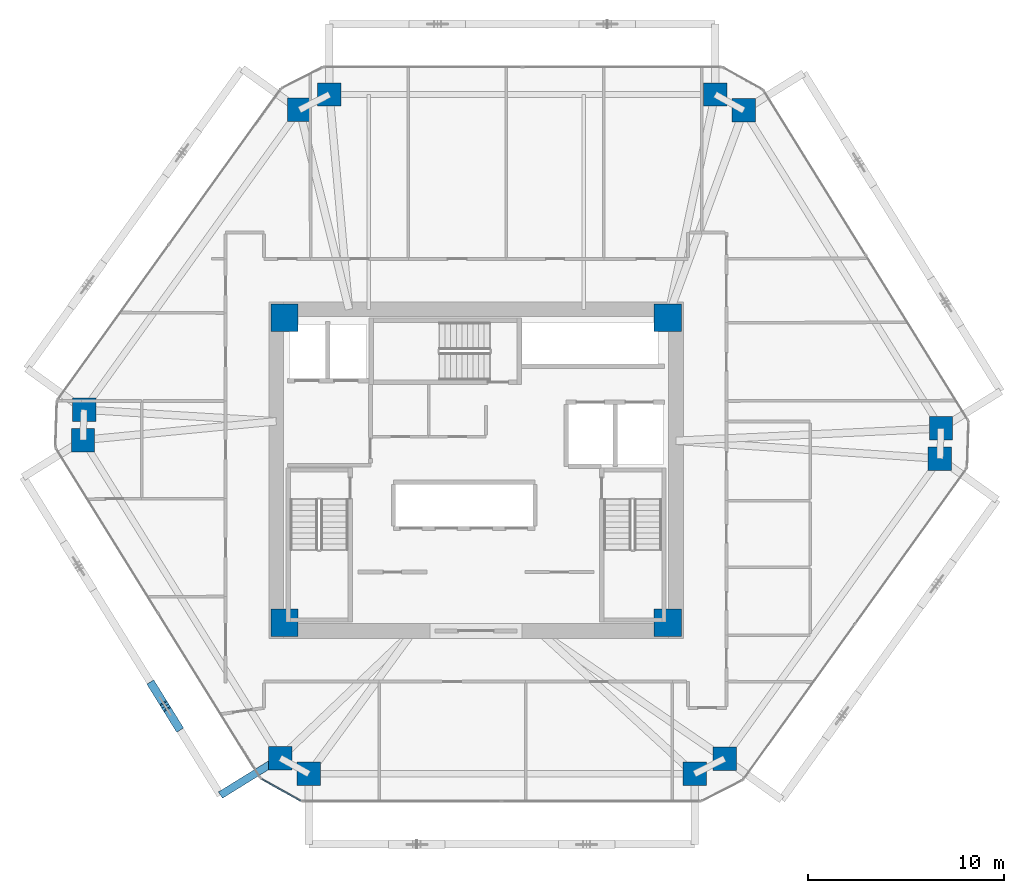
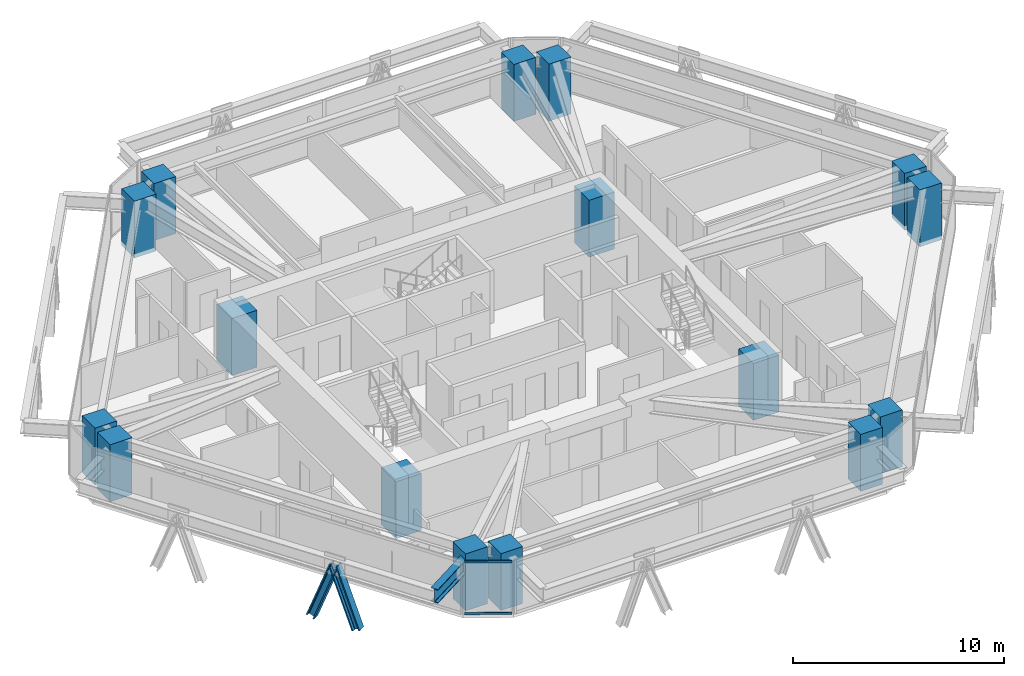
# One storey, part 1 of 16: 16 columns, 4 members, 1 beam, 1 element without a shape of its own.
"""IFC4 building model written with IfcOpenShell, lengths in metres."""

from ifc_helpers import new_model, si_unit, direction, frame, origin, origin_2d, place, context, subcontext, project, spatial, rectangle, i_section, extrude, source, transform, mapped, material, layer, layer_set, material_profile, profile_set, type_object, type_shapes, element, aggregate, save


model = new_model("IFC4")

# Units and contexts
model_context = context("Model", 3, precision=1e-05, world=origin(), true_north=direction((0.0, 1.0)))
body_context = subcontext(model_context, "Body", "Model", "MODEL_VIEW")
ifc_project = project(units=[si_unit("LENGTHUNIT", "METRE"), si_unit("AREAUNIT", "SQUARE_METRE"), si_unit("VOLUMEUNIT", "CUBIC_METRE"), si_unit("PLANEANGLEUNIT", "RADIAN"), si_unit("MASSUNIT", "GRAM", prefix="KILO")], contexts=[model_context])

# Site, building, storey
site_placement = place(None, origin())
site = spatial("IfcSite", under=ifc_project, at=site_placement, CompositionType="ELEMENT")
building_placement = place(site_placement, origin())
building = spatial("IfcBuilding", under=site, at=building_placement, Name="Durnholm Broadcast Tower", CompositionType="ELEMENT")
storey_placement = place(building_placement, frame((0.0, 0.0, 130.5)))
storey = spatial("IfcBuildingStorey", under=building, at=storey_placement, Name="L35", CompositionType="ELEMENT", Elevation=130.5)

# Columns
ifc_material_1 = material(Name="Concrete C70/85", Category="concrete")
ifc_material_profile_1 = material_profile(ifc_material_1, rectangle(XDim=1.39990234375, YDim=1.39990234375, at=origin_2d()), Name="RC1400X1400")
ifc_profile_set_1 = profile_set([ifc_material_profile_1], Name="Concrete C70/85")
column_type_1 = type_object("IfcColumnType", Name="COL-CC-1400", PredefinedType="COLUMN", material=ifc_profile_set_1)
shared_shape_1 = source(origin(), body_context, "Body", "SweptSolid", [
    extrude(rectangle(XDim=1.39990234375, YDim=1.39990234375, at=origin_2d()), origin(), (0.0, 0.0, 1.0), 3.300048828125),
])
type_shapes(column_type_1, [shared_shape_1])
for number, where, z_axis, x_axis, name in (
    (1, (-9.800048828125, -7.800048828125, -0.239990234375), (0.0, 0.0, 1.0), (1.0, 0.0, 0.0), "L35 core corner column 1"),
    (2, (9.800048828125, -7.800048828125, -0.239990234375), (0.0, 0.0, 1.0), (1.0, 0.0, 0.0), "L35 core corner column 2"),
    (3, (9.800048828125, 7.800048828125, -0.239990234375), (0.0, 0.0, 1.0), (1.0, 0.0, 0.0), "L35 core corner column 3"),
    (4, (-9.800048828125, 7.800048828125, -0.239990234375), (0.0, 0.0, 1.0), (1.0, 0.0, 0.0), "L35 core corner column 4"),
):
    element("IfcColumn", number, at=place(storey_placement, frame(where, z_axis=z_axis, x_axis=x_axis)), inside=storey, type_object=column_type_1, Name=name, PredefinedType="COLUMN", context=body_context, shape_type="MappedRepresentation", body=[
        mapped(shared_shape_1, transform((0.0, 0.0, 0.0), x_axis=(1.0, 0.0, 0.0), y_axis=(0.0, 1.0, 0.0), z_axis=(0.0, 0.0, 1.0), scale=1.0)),
    ])
ifc_material_profile_2 = material_profile(ifc_material_1, rectangle(XDim=1.199951171875, YDim=1.199951171875, at=origin_2d()), Name="RC1200X1200")
ifc_profile_set_2 = profile_set([ifc_material_profile_2], Name="Concrete C70/85")
column_type_2 = type_object("IfcColumnType", Name="COL-CC-1200", PredefinedType="COLUMN", material=ifc_profile_set_2)
shared_shape_2 = source(origin(), body_context, "Body", "SweptSolid", [
    extrude(rectangle(XDim=1.199951171875, YDim=1.199951171875, at=origin_2d()), origin(), (0.0, 0.0, 1.0), 3.300048828125),
])
type_shapes(column_type_2, [shared_shape_2])
for number, where, z_axis, x_axis, name in (
    (5, (-10.01416015625, -14.723388671875, -0.239990234375), (0.0, 0.0, 1.0), (1.0, 0.0, 0.0), "L35 perimeter hexagonal tube column 01"),
    (6, (-20.102783203125, 1.54150390625, -0.239990234375), (0.0, 0.0, 1.0), (1.0, 0.0, 0.0), "L35 perimeter hexagonal tube column 02"),
    (7, (-20.050048828125, 3.091064453125, -0.239990234375), (0.0, 0.0, 1.0), (1.0, 0.0, 0.0), "L35 perimeter hexagonal tube column 03"),
    (8, (-9.031982421875, 18.42822265625, -0.239990234375), (0.0, 0.0, 1.0), (1.0, 0.0, 0.0), "L35 perimeter hexagonal tube column 04"),
    (9, (-7.498046875, 19.215087890625, -0.239990234375), (0.0, 0.0, 1.0), (1.0, 0.0, 0.0), "L35 perimeter hexagonal tube column 05"),
    (10, (12.22998046875, 19.215087890625, -0.239990234375), (0.0, 0.0, 1.0), (1.0, 0.0, 0.0), "L35 perimeter hexagonal tube column 06"),
    (11, (13.692138671875, 18.4013671875, -0.239990234375), (0.0, 0.0, 1.0), (1.0, 0.0, 0.0), "L35 perimeter hexagonal tube column 07"),
    (12, (23.78076171875, 2.13671875, -0.239990234375), (0.0, 0.0, 1.0), (1.0, 0.0, 0.0), "L35 perimeter hexagonal tube column 08"),
    (13, (23.72802734375, 0.5869140625, -0.239990234375), (0.0, 0.0, 1.0), (1.0, 0.0, 0.0), "L35 perimeter hexagonal tube column 09"),
    (14, (12.7099609375, -14.750244140625, -0.239990234375), (0.0, 0.0, 1.0), (1.0, 0.0, 0.0), "L35 perimeter hexagonal tube column 10"),
    (15, (11.176025390625, -15.537109375, -0.239990234375), (0.0, 0.0, 1.0), (1.0, 0.0, 0.0), "L35 perimeter hexagonal tube column 11"),
    (16, (-8.552001953125, -15.537109375, -0.239990234375), (0.0, 0.0, 1.0), (1.0, 0.0, 0.0), "L35 perimeter hexagonal tube column 12"),
):
    element("IfcColumn", number, at=place(storey_placement, frame(where, z_axis=z_axis, x_axis=x_axis)), inside=storey, type_object=column_type_2, Name=name, PredefinedType="COLUMN", context=body_context, shape_type="MappedRepresentation", body=[
        mapped(shared_shape_2, transform((0.0, 0.0, 0.0), x_axis=(1.0, 0.0, 0.0), y_axis=(0.0, 1.0, 0.0), z_axis=(0.0, 0.0, 1.0), scale=1.0)),
    ])

# Beam
ifc_material_2 = material(Name="Steel ASTM A992 Grade 50", Category="steel")
ifc_material_profile_3 = material_profile(ifc_material_2, i_section(OverallWidth=0.385009765625, OverallDepth=0.802978515625, WebThickness=0.023681640625, FlangeThickness=0.0419921875, FilletRadius=0.032958984375, at=origin_2d()), Name="W30X261")
ifc_profile_set_3 = profile_set([ifc_material_profile_3], Name="Steel ASTM A992 Grade 50")
beam_type = type_object("IfcBeamType", Name="BM-EXO-TIE", PredefinedType="USERDEFINED", material=ifc_profile_set_3)
shared_shape_3 = source(origin(), body_context, "Body", "SweptSolid", [
    extrude(i_section(OverallWidth=0.385009765625, OverallDepth=0.802978515625, WebThickness=0.023681640625, FlangeThickness=0.0419921875, FilletRadius=0.032958984375, at=origin_2d()), origin(), (0.0, 0.0, 1.0), 3.455810546875),
])
type_shapes(beam_type, [shared_shape_3])
beam_placement = place(storey_placement, frame((-10.13671875, -14.79931640625, 2.30859375), z_axis=(-0.849807128357, -0.527093772107, 0.0), x_axis=(0.527093772107, -0.849807128357, 0.0)))
element("IfcBeam", 17, at=beam_placement, inside=storey, type_object=beam_type, Name="L35 exoskeleton stand-off tie bracket F6.2", ObjectType="GIRDER", PredefinedType="USERDEFINED", context=body_context, shape_type="MappedRepresentation", body=[
    mapped(shared_shape_3, transform((0.0, 0.0, 0.0), x_axis=(1.0, 0.0, 0.0), y_axis=(0.0, 1.0, 0.0), z_axis=(0.0, 0.0, 1.0), scale=1.0)),
])

# Members
ifc_material_3 = material(Name="Steel ASTM A913 Grade 65", Category="steel")
ifc_material_profile_4 = material_profile(ifc_material_3, i_section(OverallWidth=0.41845703125, OverallDepth=0.455078125, WebThickness=0.0419921875, FlangeThickness=0.067626953125, FilletRadius=0.030517578125, at=origin_2d()), Name="W14X370")
ifc_profile_set_4 = profile_set([ifc_material_profile_4], Name="Steel ASTM A913 Grade 65")
member_type_1 = type_object("IfcMemberType", Name="STL-DG-W14X370", PredefinedType="BRACE", material=ifc_profile_set_4)
shared_shape_4 = source(origin(), body_context, "Body", "SweptSolid", [
    extrude(i_section(OverallWidth=0.41845703125, OverallDepth=0.455078125, WebThickness=0.0419921875, FlangeThickness=0.067626953125, FilletRadius=0.030517578125, at=origin_2d()), origin(), (0.0, 0.0, 1.0), 3.523193359375),
])
type_shapes(member_type_1, [shared_shape_4])
for number, where, z_axis, x_axis, name in (
    (18, (-16.548583984375, -11.018310546875, -0.991455078125), (0.184606642766, -0.297560406921, 0.936684681032), (0.849750220063, 0.527185511469, 0.0), "L35 stand-off diagrid brace F6.D2.1"),
    (19, (-15.247802734375, -13.115234375, -0.991455078125), (-0.184602835855, 0.297623566065, 0.936665364961), (-0.849805205368, -0.527096872433, 0.0), "L35 stand-off diagrid brace F6.D2.2"),
):
    element("IfcMember", number, at=place(storey_placement, frame(where, z_axis=z_axis, x_axis=x_axis)), inside=storey, type_object=member_type_1, Name=name, PredefinedType="BRACE", context=body_context, shape_type="MappedRepresentation", body=[
        mapped(shared_shape_4, transform((0.0, 0.0, 0.0), x_axis=(1.0, 0.0, 0.0), y_axis=(0.0, 1.0, 0.0), z_axis=(0.0, 0.0, 1.0), scale=1.0)),
    ])

# Curtain wall, members
ifc_material_4 = material(Name="Aluminium and Solar Control IGU", Category="aluminium")
ifc_layer = layer(ifc_material_4, 0.1650390625)
ifc_layer_set = layer_set([ifc_layer], Name="Aluminium and Solar Control IGU")
curtain_wall_type = type_object("IfcCurtainWallType", Name="CW-SYS-5", PredefinedType="NOTDEFINED", material=ifc_layer_set)
curtain_wall_placement = place(storey_placement, origin())
curtain_wall = element("IfcCurtainWall", 20, at=curtain_wall_placement, inside=storey, type_object=curtain_wall_type, Name="L35 curtain wall CW-CORNER CW-L35-CRN-11", PredefinedType="NOTDEFINED")
ifc_material_5 = material(Name="Aluminium 6063-T6", Category="aluminium")
ifc_material_profile_5 = material_profile(ifc_material_5, rectangle(XDim=0.06494140625, YDim=0.1298828125, at=origin_2d()), Name="CWT65X130")
ifc_profile_set_5 = profile_set([ifc_material_profile_5], Name="Aluminium 6063-T6")
member_type_2 = type_object("IfcMemberType", Name="CW-SYS-5-TRN", PredefinedType="USERDEFINED", material=ifc_profile_set_5)
shared_shape_5 = source(origin(), body_context, "Body", "SweptSolid", [
    extrude(rectangle(XDim=0.06494140625, YDim=0.1298828125, at=origin_2d()), origin(), (0.0, 0.0, 1.0), 2.27001953125),
])
type_shapes(member_type_2, [shared_shape_5])
member_1_placement = place(storey_placement, frame((-8.971923828125, -16.9052734375, 0.032470703125), z_axis=(-0.873832405737, 0.486227237703, 0.0), x_axis=(-0.486227237703, -0.873832405737, 0.0)))
member_1 = element("IfcMember", 21, at=member_1_placement, type_object=member_type_2, Name="CW-CORNER transom 1.1", ObjectType="TRANSOM", PredefinedType="USERDEFINED", context=body_context, shape_type="MappedRepresentation", body=[
    mapped(shared_shape_5, transform((0.0, 0.0, 0.0), x_axis=(1.0, 0.0, 0.0), y_axis=(0.0, 1.0, 0.0), z_axis=(0.0, 0.0, 1.0), scale=1.0)),
])
member_2_placement = place(storey_placement, frame((-8.971923828125, -16.9052734375, 3.027587890625), z_axis=(-0.873832405737, 0.486227237703, 0.0), x_axis=(-0.486227237703, -0.873832405737, 0.0)))
member_2 = element("IfcMember", 22, at=member_2_placement, type_object=member_type_2, Name="CW-CORNER transom 1.2", ObjectType="TRANSOM", PredefinedType="USERDEFINED", context=body_context, shape_type="MappedRepresentation", body=[
    mapped(shared_shape_5, transform((0.0, 0.0, 0.0), x_axis=(1.0, 0.0, 0.0), y_axis=(0.0, 1.0, 0.0), z_axis=(0.0, 0.0, 1.0), scale=1.0)),
])
aggregate(curtain_wall, [member_1, member_2])

save(model, "model.ifc")
